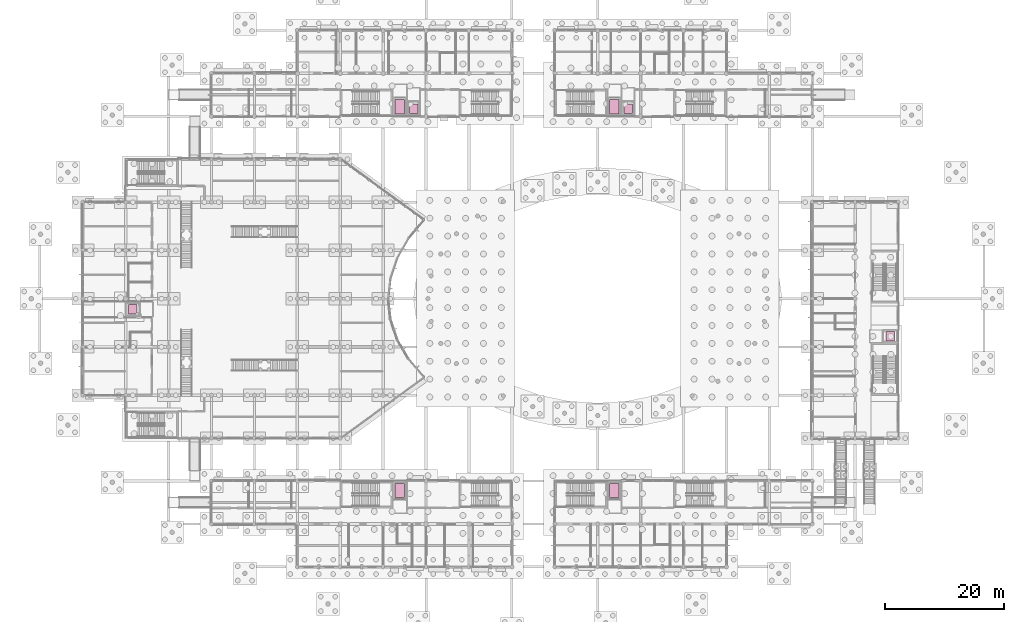
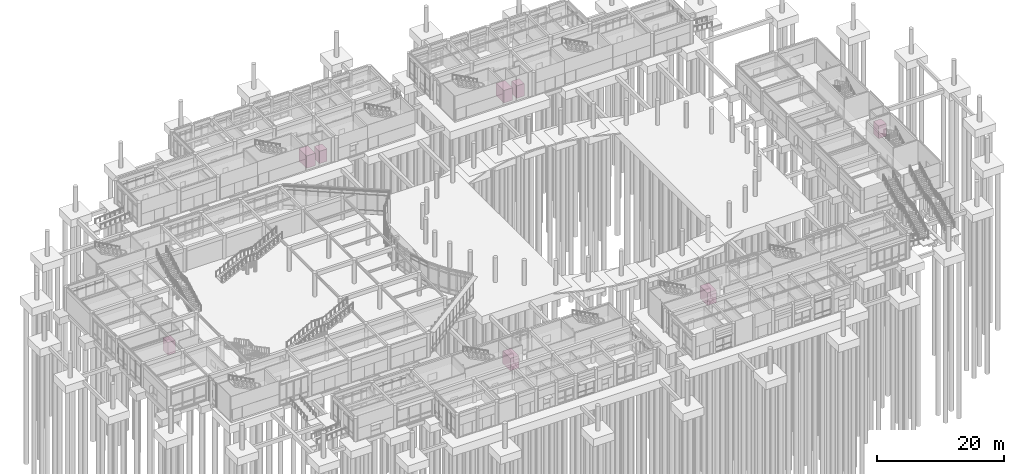
# One storey, part 103 of 103: 8 transport elements.
"""IFC4 building model written with IfcOpenShell, lengths in metres."""

from ifc_helpers import new_model, si_unit, direction, frame, origin, origin_2d, place, context, subcontext, project, spatial, rectangle, extrude, material, type_object, element, save


model = new_model("IFC4")

# Units and contexts
model_context = context("Model", 3, precision=1e-05, world=origin(), true_north=direction((0.0, 1.0)))
body_context = subcontext(model_context, "Body", "Model", "MODEL_VIEW")
ifc_project = project(units=[si_unit("LENGTHUNIT", "METRE"), si_unit("AREAUNIT", "SQUARE_METRE"), si_unit("VOLUMEUNIT", "CUBIC_METRE"), si_unit("PLANEANGLEUNIT", "RADIAN"), si_unit("MASSUNIT", "GRAM", prefix="KILO")], contexts=[model_context])

# Site, building, storey
site_placement = place(None, origin())
site = spatial("IfcSite", under=ifc_project, at=site_placement, CompositionType="ELEMENT")
building_placement = place(site_placement, origin())
building = spatial("IfcBuilding", under=site, at=building_placement, Name="Namkhue Oval Health Centre", CompositionType="ELEMENT")
storey_placement = place(building_placement, origin())
storey = spatial("IfcBuildingStorey", under=building, at=storey_placement, Name="L00", CompositionType="ELEMENT", Elevation=0.0)

# Transport elements
ifc_material = material(Name="Brushed stainless steel 304 elevator car", Category="steel")
transport_element_type_1 = type_object("IfcTransportElementType", Name="ACCESSIBLE PASSENGER ELEVATOR 1400X1600", PredefinedType="ELEVATOR", material=ifc_material)
for number, where, z_axis, x_axis, name in (
    (1, (69.89990234375, 91.300048828125, 0.0), (0.0, 0.0, 1.0), (1.0, 0.0, 0.0), "Elevator Car LF-02"),
    (2, (105.89990234375, 91.300048828125, 0.0), (0.0, 0.0, 1.0), (1.0, 0.0, 0.0), "Elevator Car LF-04"),
    (3, (149.89990234375, 53.10009765625, 0.0), (0.0, 0.0, 1.0), (1.0, 0.0, 0.0), "Elevator Car LF-07"),
    (4, (22.800048828125, 57.60009765625, 0.0), (0.0, 0.0, 1.0), (1.0, 0.0, 0.0), "Elevator Car LF-08"),
):
    element("IfcTransportElement", number, at=place(storey_placement, frame(where, z_axis=z_axis, x_axis=x_axis)), inside=storey, type_object=transport_element_type_1, Name=name, PredefinedType="ELEVATOR", context=body_context, shape_type="SweptSolid", body=[
        extrude(rectangle(XDim=1.39990234375, YDim=1.60009765625, at=origin_2d()), origin(), (0.0, 0.0, 1.0), 2.39990234375),
    ])
transport_element_type_2 = type_object("IfcTransportElementType", Name="CLINICAL STRETCHER ELEVATOR 1600X2400", PredefinedType="ELEVATOR", material=ifc_material)
for number, where, z_axis, x_axis, name in (
    (5, (67.60009765625, 91.60009765625, 0.0), (0.0, 0.0, 1.0), (1.0, 0.0, 0.0), "Elevator Car LF-01"),
    (6, (103.60009765625, 91.60009765625, 0.0), (0.0, 0.0, 1.0), (1.0, 0.0, 0.0), "Elevator Car LF-03"),
    (7, (67.60009765625, 27.199951171875, 0.0), (0.0, 0.0, 1.0), (1.0, 0.0, 0.0), "Elevator Car LF-05"),
    (8, (103.60009765625, 27.199951171875, 0.0), (0.0, 0.0, 1.0), (1.0, 0.0, 0.0), "Elevator Car LF-06"),
):
    element("IfcTransportElement", number, at=place(storey_placement, frame(where, z_axis=z_axis, x_axis=x_axis)), inside=storey, type_object=transport_element_type_2, Name=name, PredefinedType="ELEVATOR", context=body_context, shape_type="SweptSolid", body=[
        extrude(rectangle(XDim=1.60009765625, YDim=2.39990234375, at=origin_2d()), origin(), (0.0, 0.0, 1.0), 2.39990234375),
    ])

save(model, "model.ifc")
